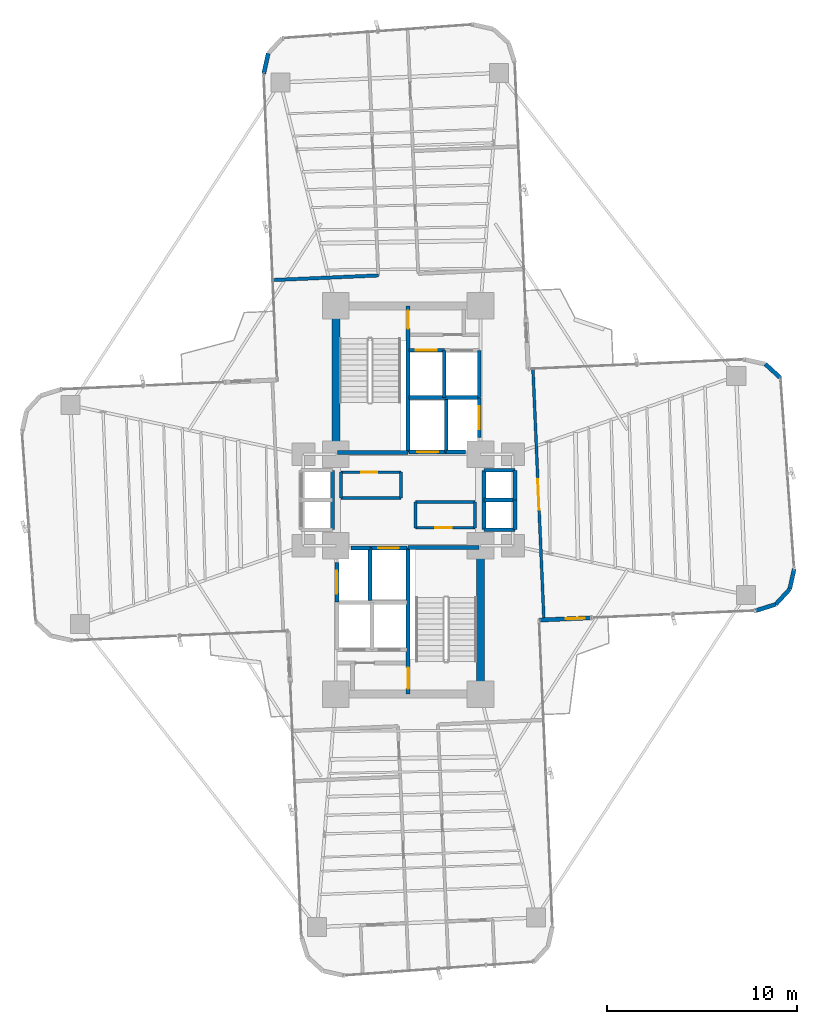
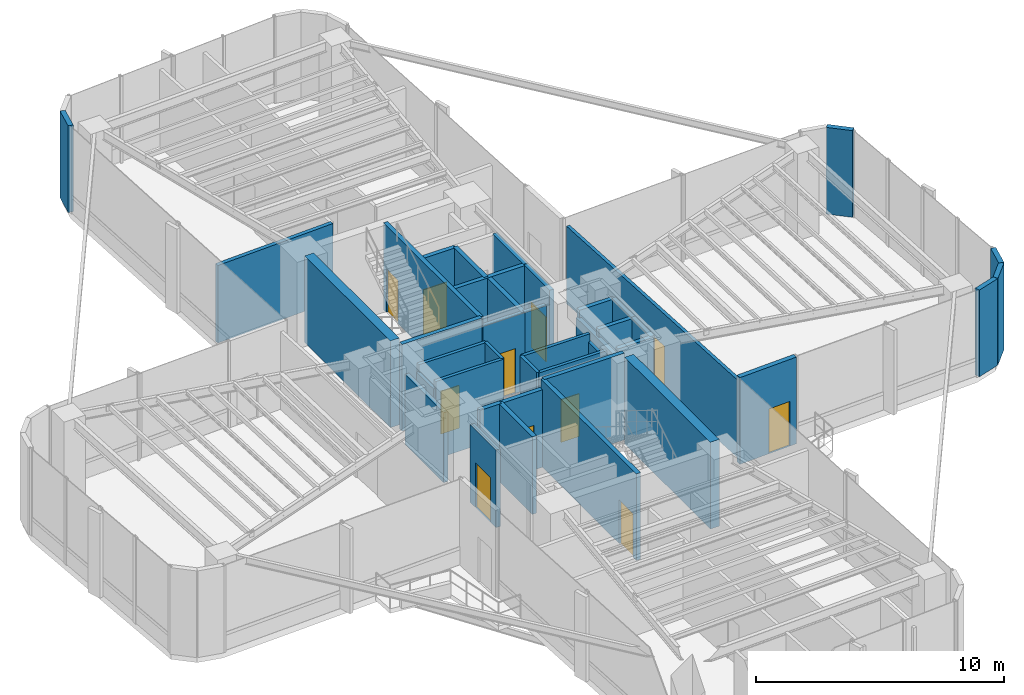
# One storey, part 19 of 21: 41 walls, 11 doors, 11 openings.
"""IFC4 building model written with IfcOpenShell, lengths in metres."""

from ifc_helpers import new_model, si_unit, direction, frame, frame_2d, origin, origin_2d, place, context, subcontext, project, spatial, rectangle, extrude, source, transform, mapped, material, layer, layer_set, type_object, element, fill, save


model = new_model("IFC4")

# Units and contexts
model_context = context("Model", 3, precision=1e-05, world=origin(), true_north=direction((0.0, 1.0)))
body_context = subcontext(model_context, "Body", "Model", "MODEL_VIEW")
ifc_project = project(units=[si_unit("LENGTHUNIT", "METRE"), si_unit("AREAUNIT", "SQUARE_METRE"), si_unit("VOLUMEUNIT", "CUBIC_METRE"), si_unit("PLANEANGLEUNIT", "RADIAN"), si_unit("MASSUNIT", "GRAM", prefix="KILO")], contexts=[model_context])

# Site, building, storey
site_placement = place(None, origin())
site = spatial("IfcSite", under=ifc_project, at=site_placement, CompositionType="ELEMENT")
building_placement = place(site_placement, origin())
building = spatial("IfcBuilding", under=site, at=building_placement, Name="Sahyath Konkavel Grand Hotel", CompositionType="ELEMENT")
storey_placement = place(building_placement, frame((0.0, 0.0, 79.0)))
storey = spatial("IfcBuildingStorey", under=building, at=storey_placement, Name="L21", CompositionType="ELEMENT", Elevation=79.0)

# Walls
ifc_material_1 = material(Name="Concrete C50/60", Category="concrete")
ifc_layer_1 = layer(ifc_material_1, 0.419921875)
ifc_layer_set_1 = layer_set([ifc_layer_1], Name="Concrete C50/60")
wall_type_1 = type_object("IfcWallType", Name="CWALL-420", PredefinedType="SHEAR", material=ifc_layer_set_1)
for number, where, z_axis, x_axis, name in (
    (1, (-3.800048828125, 2.85009765625, 0.0), (0.0, 0.0, 1.0), (0.0, 1.0, 0.0), "L21 North Core Shear Wall W"),
    (2, (3.800048828125, -9.75, 0.0), (0.0, 0.0, 1.0), (0.0, 1.0, 0.0), "L21 South Core Shear Wall E"),
):
    element("IfcWall", number, at=place(storey_placement, frame(where, z_axis=z_axis, x_axis=x_axis)), inside=storey, type_object=wall_type_1, Name=name, PredefinedType="SHEAR", context=body_context, shape_type="SweptSolid", body=[
        extrude(rectangle(XDim=6.89990234375, YDim=0.419921875, at=frame_2d((3.449951171875, 0.0))), origin(), (0.0, 0.0, 1.0), 4.260009765625),
    ])

# Wall, opening, door
ifc_material_2 = material(Name="Warm Buff Sandstone Insulated Concrete C40/50", Category="masonry")
ifc_layer_2 = layer(ifc_material_2, 0.219970703125)
ifc_layer_set_2 = layer_set([ifc_layer_2], Name="Warm Buff Sandstone Insulated Concrete C40/50")
wall_type_2 = type_object("IfcWallType", Name="WLL-BALC-THRESH", PredefinedType="STANDARD", material=ifc_layer_set_2)
wall_1_placement = place(storey_placement, frame((6.881591796875, -6.305908203125, 0.0), z_axis=(0.0, 0.0, 1.0), x_axis=(0.999045894436, 0.043672655174, 0.0)))
wall_1 = element("IfcWall", 3, at=wall_1_placement, inside=storey, type_object=wall_type_2, Name="L21 Winter-Garden Threshold Wall 0", PredefinedType="STANDARD", context=body_context, shape_type="SweptSolid", body=[
    extrude(rectangle(XDim=2.7001953125, YDim=0.219970703125, at=frame_2d((1.35009765625, 0.0))), origin(), (0.0, 0.0, 1.0), 4.260009765625),
])
opening_1_placement = place(wall_1_placement, frame((1.39990234375, 0.0, 0.0)))
opening_1 = element("IfcOpeningElement", 4, at=opening_1_placement, cuts=wall_1, Name="Opening D-TR1", PredefinedType="OPENING", context=body_context, shape_type="SweptSolid", body=[
    extrude(rectangle(XDim=1.0, YDim=2.199951171875, at=frame_2d((0.5, 1.10009765625))), frame((0.0, 0.1201171875, 0.0), z_axis=(0.0, -1.0, 0.0), x_axis=(1.0, 0.0, 0.0)), (0.0, 0.0, 1.0), 0.239990234375),
])
ifc_material_3 = material(Name="Anodised Bronze Aluminium & Low-E Glazing", Category="aluminium")
door_type_1 = type_object("IfcDoorType", Name="DR-TERRACE-1000", OperationType="NOTDEFINED", PredefinedType="DOOR", material=ifc_material_3)
shared_shape_1 = source(origin(), body_context, "Body", "SweptSolid", [
    extrude(rectangle(XDim=1.0, YDim=0.050048828125, at=origin_2d()), origin(), (0.0, 0.0, 1.0), 2.199951171875),
])
door_1_placement = place(opening_1_placement, frame((0.5, 0.0, 0.0)))
door_1 = element("IfcDoor", 5, at=door_1_placement, inside=storey, type_object=door_type_1, Name="L21 Winter-Garden Terrace Door 0", OperationType="SINGLE_SWING_LEFT", OverallHeight=2.199951171875, OverallWidth=1.0, PredefinedType="DOOR", context=body_context, shape_type="MappedRepresentation", body=[
    mapped(shared_shape_1, transform((0.0, 0.0, 0.0), scale=1.0)),
])
fill(opening_1, door_1)

# Walls
for number, where, z_axis, x_axis, name in (
    (6, (18.270751953125, -5.80859375, 0.0), (0.0, 0.0, 1.0), (0.953721713582, 0.30069069331, 0.0), "L21 Rounded Corner Sandstone Pier 1"),
    (7, (19.3076171875, -5.481689453125, 0.0), (0.0, 0.0, 1.0), (0.675551721847, 0.737312600672, 0.0), "L21 Rounded Corner Sandstone Pier 2"),
):
    element("IfcWall", number, at=place(storey_placement, frame(where, z_axis=z_axis, x_axis=x_axis)), inside=storey, type_object=wall_type_2, Name=name, PredefinedType="STANDARD", context=body_context, shape_type="SweptSolid", body=[
        extrude(rectangle(XDim=1.087158203125, YDim=0.219970703125, at=frame_2d((0.54345703125, 0.0))), origin(), (0.0, 0.0, 1.0), 4.260009765625),
    ])
for number, where, z_axis, x_axis, name in (
    (8, (20.0419921875, -4.68017578125, 0.0), (0.0, 0.0, 1.0), (0.216288323511, 0.976329535102, 0.0), "L21 Rounded Corner Sandstone Pier 3"),
    (9, (19.5576171875, 6.4091796875, 0.0), (0.0, 0.0, 1.0), (-0.737210081318, 0.675663596772, 0.0), "L21 Rounded Corner Sandstone Pier 5"),
):
    element("IfcWall", number, at=place(storey_placement, frame(where, z_axis=z_axis, x_axis=x_axis)), inside=storey, type_object=wall_type_2, Name=name, PredefinedType="STANDARD", context=body_context, shape_type="SweptSolid", body=[
        extrude(rectangle(XDim=1.0869140625, YDim=0.219970703125, at=frame_2d((0.54345703125, 0.0))), origin(), (0.0, 0.0, 1.0), 4.260009765625),
    ])
wall_2_placement = place(storey_placement, frame((-7.3486328125, 23.451904296875, 0.0), z_axis=(0.0, 0.0, 1.0), x_axis=(-0.216454939174, -0.976292609471, 0.0)))
element("IfcWall", 10, at=wall_2_placement, inside=storey, type_object=wall_type_2, Name="L21 Rounded Corner Sandstone Pier 14", PredefinedType="STANDARD", context=body_context, shape_type="SweptSolid", body=[
    extrude(rectangle(XDim=1.08740234375, YDim=0.219970703125, at=frame_2d((0.543701171875, 0.0))), origin(), (0.0, 0.0, 1.0), 4.260009765625),
])

# Wall, opening, door
ifc_material_4 = material(Name="Concrete C40/50", Category="concrete")
ifc_layer_3 = layer(ifc_material_4, 0.199951171875)
ifc_layer_set_3 = layer_set([ifc_layer_3], Name="Concrete C40/50")
wall_type_3 = type_object("IfcWallType", Name="WLL-CORE-200", PredefinedType="SOLIDWALL", material=ifc_layer_set_3)
wall_3_placement = place(storey_placement, frame((0.0, 2.5, 0.0), z_axis=(0.0, 0.0, 1.0), x_axis=(0.0, 1.0, 0.0)))
wall_3 = element("IfcWall", 11, at=wall_3_placement, inside=storey, type_object=wall_type_3, Name="L21 Stair ST-1 Shaft Wall E", PredefinedType="SOLIDWALL", context=body_context, shape_type="SweptSolid", body=[
    extrude(rectangle(XDim=7.679931640625, YDim=0.199951171875, at=frame_2d((3.83984375, 0.0))), origin(), (0.0, 0.0, 1.0), 4.260009765625),
])
opening_2_placement = place(wall_3_placement, frame((6.5, 0.0, 0.0)))
opening_2 = element("IfcOpeningElement", 12, at=opening_2_placement, cuts=wall_3, Name="Opening D-F12C", PredefinedType="OPENING", context=body_context, shape_type="SweptSolid", body=[
    extrude(rectangle(XDim=0.949951171875, YDim=2.14990234375, at=frame_2d((0.47509765625, 1.074951171875))), frame((0.0, 0.10986328125, 0.0), z_axis=(0.0, -1.0, 0.0), x_axis=(1.0, 0.0, 0.0)), (0.0, 0.0, 1.0), 0.219970703125),
])
ifc_material_5 = material(Name="Steel E350 Plant Fire Door", Category="steel")
door_type_2 = type_object("IfcDoorType", Name="DR-FD120-950", OperationType="NOTDEFINED", PredefinedType="DOOR", material=ifc_material_5)
shared_shape_2 = source(origin(), body_context, "Body", "SweptSolid", [
    extrude(rectangle(XDim=0.949951171875, YDim=0.050048828125, at=origin_2d()), origin(), (0.0, 0.0, 1.0), 2.14990234375),
])
door_2_placement = place(opening_2_placement, frame((0.47509765625, 0.0, 0.0)))
door_2 = element("IfcDoor", 13, at=door_2_placement, inside=storey, type_object=door_type_2, Name="L21 Stair ST-1 Fire Door", OperationType="SINGLE_SWING_LEFT", OverallHeight=2.14990234375, OverallWidth=0.949951171875, PredefinedType="DOOR", context=body_context, shape_type="MappedRepresentation", body=[
    mapped(shared_shape_2, transform((0.0, 0.0, 0.0), scale=1.0)),
])
fill(opening_2, door_2)

# Wall
wall_4_placement = place(storey_placement, frame((-3.719970703125, 2.5, 0.0), z_axis=(0.0, 0.0, 1.0), x_axis=(1.0, 0.0, 0.0)))
element("IfcWall", 14, at=wall_4_placement, inside=storey, type_object=wall_type_3, Name="L21 Stair ST-1 Shaft Wall S", PredefinedType="SOLIDWALL", context=body_context, shape_type="SweptSolid", body=[
    extrude(rectangle(XDim=3.719970703125, YDim=0.199951171875, at=frame_2d((1.85986328125, 0.0))), origin(), (0.0, 0.0, 1.0), 4.260009765625),
])

# Wall, opening, door
wall_5_placement = place(storey_placement, frame((0.0, -10.179931640625, 0.0), z_axis=(0.0, 0.0, 1.0), x_axis=(0.0, 1.0, 0.0)))
wall_5 = element("IfcWall", 15, at=wall_5_placement, inside=storey, type_object=wall_type_3, Name="L21 Stair ST-2 Shaft Wall W", PredefinedType="SOLIDWALL", context=body_context, shape_type="SweptSolid", body=[
    extrude(rectangle(XDim=7.679931640625, YDim=0.199951171875, at=frame_2d((3.83984375, 0.0))), origin(), (0.0, 0.0, 1.0), 4.260009765625),
])
opening_3_placement = place(wall_5_placement, frame((0.280029296875, 0.0, 0.0)))
opening_3 = element("IfcOpeningElement", 16, at=opening_3_placement, cuts=wall_5, Name="Opening D-F12B", PredefinedType="OPENING", context=body_context, shape_type="SweptSolid", body=[
    extrude(rectangle(XDim=1.10009765625, YDim=2.14990234375, at=frame_2d((0.550048828125, 1.074951171875))), frame((0.0, 0.10986328125, 0.0), z_axis=(0.0, -1.0, 0.0), x_axis=(1.0, 0.0, 0.0)), (0.0, 0.0, 1.0), 0.219970703125),
])
ifc_material_6 = material(Name="Steel E350 Smokeproof Fire Door", Category="steel")
door_type_3 = type_object("IfcDoorType", Name="DR-FD120-1100", OperationType="NOTDEFINED", PredefinedType="DOOR", material=ifc_material_6)
shared_shape_3 = source(origin(), body_context, "Body", "SweptSolid", [
    extrude(rectangle(XDim=1.10009765625, YDim=0.050048828125, at=origin_2d()), origin(), (0.0, 0.0, 1.0), 2.14990234375),
])
door_3_placement = place(opening_3_placement, frame((0.550048828125, 0.0, 0.0)))
door_3 = element("IfcDoor", 17, at=door_3_placement, inside=storey, type_object=door_type_3, Name="L21 Stair ST-2 Fire Door", OperationType="SINGLE_SWING_LEFT", OverallHeight=2.14990234375, OverallWidth=1.10009765625, PredefinedType="DOOR", context=body_context, shape_type="MappedRepresentation", body=[
    mapped(shared_shape_3, transform((0.0, 0.0, 0.0), scale=1.0)),
])
fill(opening_3, door_3)

# Walls
wall_6_placement = place(storey_placement, frame((0.0, -2.5, 0.0), z_axis=(0.0, 0.0, 1.0), x_axis=(1.0, 0.0, 0.0)))
element("IfcWall", 18, at=wall_6_placement, inside=storey, type_object=wall_type_3, Name="L21 Stair ST-2 Shaft Wall N", PredefinedType="SOLIDWALL", context=body_context, shape_type="SweptSolid", body=[
    extrude(rectangle(XDim=3.719970703125, YDim=0.199951171875, at=frame_2d((1.85986328125, 0.0))), origin(), (0.0, 0.0, 1.0), 4.260009765625),
])
wall_7_placement = place(storey_placement, frame((2.0, 2.5, 0.0), z_axis=(0.0, 0.0, 1.0), x_axis=(0.0, 1.0, 0.0)))
element("IfcWall", 19, at=wall_7_placement, inside=storey, type_object=wall_type_3, Name="L21 Partition SH-FFL1-E", PredefinedType="SOLIDWALL", context=body_context, shape_type="SweptSolid", body=[
    extrude(rectangle(XDim=2.780029296875, YDim=0.199951171875, at=frame_2d((1.39013671875, 0.0))), origin(), (0.0, 0.0, 1.0), 3.81005859375),
])

# Wall, opening, door
wall_8_placement = place(storey_placement, frame((0.050048828125, 2.52001953125, 0.0), z_axis=(0.0, 0.0, 1.0), x_axis=(1.0, 0.0, 0.0)))
wall_8 = element("IfcWall", 20, at=wall_8_placement, inside=storey, type_object=wall_type_3, Name="L21 Partition SH-FFL1-S", PredefinedType="SOLIDWALL", context=body_context, shape_type="SweptSolid", body=[
    extrude(rectangle(XDim=1.949951171875, YDim=0.199951171875, at=frame_2d((0.97509765625, 0.0))), origin(), (0.0, 0.0, 1.0), 3.81005859375),
])
opening_4_placement = place(wall_8_placement, frame((0.419921875, 0.0, 0.0)))
opening_4 = element("IfcOpeningElement", 21, at=opening_4_placement, cuts=wall_8, Name="Opening LD-11", PredefinedType="OPENING", context=body_context, shape_type="SweptSolid", body=[
    extrude(rectangle(XDim=1.10009765625, YDim=2.199951171875, at=frame_2d((0.550048828125, 1.10009765625))), frame((0.0, 0.10986328125, 0.0), z_axis=(0.0, -1.0, 0.0), x_axis=(1.0, 0.0, 0.0)), (0.0, 0.0, 1.0), 0.219970703125),
])
ifc_material_7 = material(Name="Bronze Lift Landing Door 1100")
door_type_4 = type_object("IfcDoorType", Name="DR-LIFT-1100", OperationType="DOUBLE_DOOR_SLIDING", PredefinedType="DOOR", material=ifc_material_7)
shared_shape_4 = source(origin(), body_context, "Body", "SweptSolid", [
    extrude(rectangle(XDim=1.10009765625, YDim=0.050048828125, at=origin_2d()), origin(), (0.0, 0.0, 1.0), 2.199951171875),
])
door_4_placement = place(opening_4_placement, frame((0.550048828125, 0.0, 0.0)))
door_4 = element("IfcDoor", 22, at=door_4_placement, inside=storey, type_object=door_type_4, Name="L21 Lift FFL-1 Landing Door", OperationType="DOUBLE_DOOR_SLIDING", OverallHeight=2.199951171875, OverallWidth=1.10009765625, PredefinedType="DOOR", context=body_context, shape_type="MappedRepresentation", body=[
    mapped(shared_shape_4, transform((0.0, 0.0, 0.0), scale=1.0)),
])
fill(opening_4, door_4)

# Wall
wall_9_placement = place(storey_placement, frame((-2.0, -5.280029296875, 0.0), z_axis=(0.0, 0.0, 1.0), x_axis=(0.0, 1.0, 0.0)))
element("IfcWall", 23, at=wall_9_placement, inside=storey, type_object=wall_type_3, Name="L21 Partition SH-FFL2-W", PredefinedType="SOLIDWALL", context=body_context, shape_type="SweptSolid", body=[
    extrude(rectangle(XDim=2.780029296875, YDim=0.199951171875, at=frame_2d((1.39013671875, 0.0))), origin(), (0.0, 0.0, 1.0), 3.81005859375),
])

# Wall, opening, door
wall_10_placement = place(storey_placement, frame((-2.0, -2.52001953125, 0.0), z_axis=(0.0, 0.0, 1.0), x_axis=(1.0, 0.0, 0.0)))
wall_10 = element("IfcWall", 24, at=wall_10_placement, inside=storey, type_object=wall_type_3, Name="L21 Partition SH-FFL2-N", PredefinedType="SOLIDWALL", context=body_context, shape_type="SweptSolid", body=[
    extrude(rectangle(XDim=1.949951171875, YDim=0.199951171875, at=frame_2d((0.97509765625, 0.0))), origin(), (0.0, 0.0, 1.0), 3.81005859375),
])
opening_5_placement = place(wall_10_placement, frame((0.419921875, 0.0, 0.0)))
opening_5 = element("IfcOpeningElement", 25, at=opening_5_placement, cuts=wall_10, Name="Opening LD-11", PredefinedType="OPENING", context=body_context, shape_type="SweptSolid", body=[
    extrude(rectangle(XDim=1.10009765625, YDim=2.199951171875, at=frame_2d((0.550048828125, 1.10009765625))), frame((0.0, 0.10986328125, 0.0), z_axis=(0.0, -1.0, 0.0), x_axis=(1.0, 0.0, 0.0)), (0.0, 0.0, 1.0), 0.219970703125),
])
door_5_placement = place(opening_5_placement, frame((0.550048828125, 0.0, 0.0)))
door_5 = element("IfcDoor", 26, at=door_5_placement, inside=storey, type_object=door_type_4, Name="L21 Lift FFL-2 Landing Door", OperationType="DOUBLE_DOOR_SLIDING", OverallHeight=2.199951171875, OverallWidth=1.10009765625, PredefinedType="DOOR", context=body_context, shape_type="MappedRepresentation", body=[
    mapped(shared_shape_4, transform((0.0, 0.0, 0.0), scale=1.0)),
])
fill(opening_5, door_5)

# Wall
wall_11_placement = place(storey_placement, frame((2.0, 2.52001953125, 0.0), z_axis=(0.0, 0.0, 1.0), x_axis=(1.0, 0.0, 0.0)))
element("IfcWall", 27, at=wall_11_placement, inside=storey, type_object=wall_type_3, Name="L21 Partition SH-SVL1-S", PredefinedType="SOLIDWALL", context=body_context, shape_type="SweptSolid", body=[
    extrude(rectangle(XDim=1.0, YDim=0.199951171875, at=frame_2d((0.5, 0.0))), origin(), (0.0, 0.0, 1.0), 3.81005859375),
])

# Wall, opening, door
wall_12_placement = place(storey_placement, frame((3.739990234375, 3.280029296875, 0.0), z_axis=(0.0, 0.0, 1.0), x_axis=(0.0, 1.0, 0.0)))
wall_12 = element("IfcWall", 28, at=wall_12_placement, inside=storey, type_object=wall_type_3, Name="L21 Partition SH-SVL1-E", PredefinedType="SOLIDWALL", context=body_context, shape_type="SweptSolid", body=[
    extrude(rectangle(XDim=2.080078125, YDim=0.199951171875, at=frame_2d((1.0400390625, 0.0))), origin(), (0.0, 0.0, 1.0), 3.81005859375),
])
opening_6_placement = place(wall_12_placement, frame((0.43994140625, 0.0, 0.0)))
opening_6 = element("IfcOpeningElement", 29, at=opening_6_placement, cuts=wall_12, Name="Opening LD-12", PredefinedType="OPENING", context=body_context, shape_type="SweptSolid", body=[
    extrude(rectangle(XDim=1.199951171875, YDim=2.199951171875, at=frame_2d((0.60009765625, 1.10009765625))), frame((0.0, 0.10986328125, 0.0), z_axis=(0.0, -1.0, 0.0), x_axis=(1.0, 0.0, 0.0)), (0.0, 0.0, 1.0), 0.219970703125),
])
ifc_material_8 = material(Name="Stainless Steel Lift Landing Door 1200", Category="steel")
door_type_5 = type_object("IfcDoorType", Name="DR-LIFT-1200", OperationType="DOUBLE_DOOR_SLIDING", PredefinedType="DOOR", material=ifc_material_8)
shared_shape_5 = source(origin(), body_context, "Body", "SweptSolid", [
    extrude(rectangle(XDim=1.199951171875, YDim=0.050048828125, at=origin_2d()), origin(), (0.0, 0.0, 1.0), 2.199951171875),
])
door_6_placement = place(opening_6_placement, frame((0.60009765625, 0.0, 0.0)))
door_6 = element("IfcDoor", 30, at=door_6_placement, inside=storey, type_object=door_type_5, Name="L21 Service Lift SVL-1 Landing Door", OperationType="DOUBLE_DOOR_SLIDING", OverallHeight=2.199951171875, OverallWidth=1.199951171875, PredefinedType="DOOR", context=body_context, shape_type="MappedRepresentation", body=[
    mapped(shared_shape_5, transform((0.0, 0.0, 0.0), scale=1.0)),
])
fill(opening_6, door_6)

# Wall
wall_13_placement = place(storey_placement, frame((-3.0, -2.52001953125, 0.0), z_axis=(0.0, 0.0, 1.0), x_axis=(1.0, 0.0, 0.0)))
element("IfcWall", 31, at=wall_13_placement, inside=storey, type_object=wall_type_3, Name="L21 Partition SH-SVL2-N", PredefinedType="SOLIDWALL", context=body_context, shape_type="SweptSolid", body=[
    extrude(rectangle(XDim=1.0, YDim=0.199951171875, at=frame_2d((0.5, 0.0))), origin(), (0.0, 0.0, 1.0), 3.81005859375),
])

# Wall, opening, door
wall_14_placement = place(storey_placement, frame((-3.739990234375, -5.360107421875, 0.0), z_axis=(0.0, 0.0, 1.0), x_axis=(0.0, 1.0, 0.0)))
wall_14 = element("IfcWall", 32, at=wall_14_placement, inside=storey, type_object=wall_type_3, Name="L21 Partition SH-SVL2-W", PredefinedType="SOLIDWALL", context=body_context, shape_type="SweptSolid", body=[
    extrude(rectangle(XDim=2.080078125, YDim=0.199951171875, at=frame_2d((1.0400390625, 0.0))), origin(), (0.0, 0.0, 1.0), 3.81005859375),
])
opening_7_placement = place(wall_14_placement, frame((0.43994140625, 0.0, 0.0)))
opening_7 = element("IfcOpeningElement", 33, at=opening_7_placement, cuts=wall_14, Name="Opening LD-12", PredefinedType="OPENING", context=body_context, shape_type="SweptSolid", body=[
    extrude(rectangle(XDim=1.199951171875, YDim=2.199951171875, at=frame_2d((0.60009765625, 1.10009765625))), frame((0.0, 0.10986328125, 0.0), z_axis=(0.0, -1.0, 0.0), x_axis=(1.0, 0.0, 0.0)), (0.0, 0.0, 1.0), 0.219970703125),
])
door_7_placement = place(opening_7_placement, frame((0.60009765625, 0.0, 0.0)))
door_7 = element("IfcDoor", 34, at=door_7_placement, inside=storey, type_object=door_type_5, Name="L21 Service Lift SVL-2 Landing Door", OperationType="DOUBLE_DOOR_SLIDING", OverallHeight=2.199951171875, OverallWidth=1.199951171875, PredefinedType="DOOR", context=body_context, shape_type="MappedRepresentation", body=[
    mapped(shared_shape_5, transform((0.0, 0.0, 0.0), scale=1.0)),
])
fill(opening_7, door_7)

# Walls
wall_15_placement = place(storey_placement, frame((0.050048828125, 5.3798828125, 0.0), z_axis=(0.0, 0.0, 1.0), x_axis=(1.0, 0.0, 0.0)))
element("IfcWall", 35, at=wall_15_placement, inside=storey, type_object=wall_type_3, Name="L21 Partition SH-PL12-S", PredefinedType="SOLIDWALL", context=body_context, shape_type="SweptSolid", body=[
    extrude(rectangle(XDim=3.68994140625, YDim=0.199951171875, at=frame_2d((1.844970703125, 0.0))), origin(), (0.0, 0.0, 1.0), 3.81005859375),
])
wall_16_placement = place(storey_placement, frame((1.89990234375, 5.3798828125, 0.0), z_axis=(0.0, 0.0, 1.0), x_axis=(0.0, 1.0, 0.0)))
element("IfcWall", 36, at=wall_16_placement, inside=storey, type_object=wall_type_3, Name="L21 Partition SH-PL12-M", PredefinedType="SOLIDWALL", context=body_context, shape_type="SweptSolid", body=[
    extrude(rectangle(XDim=2.480224609375, YDim=0.199951171875, at=frame_2d((1.240234375, 0.0))), origin(), (0.0, 0.0, 1.0), 3.81005859375),
])

# Wall, opening, door
wall_17_placement = place(storey_placement, frame((0.050048828125, 7.860107421875, 0.0), z_axis=(0.0, 0.0, 1.0), x_axis=(1.0, 0.0, 0.0)))
wall_17 = element("IfcWall", 37, at=wall_17_placement, inside=storey, type_object=wall_type_3, Name="L21 Partition SH-PL1-N", PredefinedType="SOLIDWALL", context=body_context, shape_type="SweptSolid", body=[
    extrude(rectangle(XDim=1.849853515625, YDim=0.199951171875, at=frame_2d((0.9248046875, 0.0))), origin(), (0.0, 0.0, 1.0), 3.81005859375),
])
opening_8_placement = place(wall_17_placement, frame((0.360107421875, 0.0, 0.0)))
opening_8 = element("IfcOpeningElement", 38, at=opening_8_placement, cuts=wall_17, Name="Opening LD-11", PredefinedType="OPENING", context=body_context, shape_type="SweptSolid", body=[
    extrude(rectangle(XDim=1.10009765625, YDim=2.199951171875, at=frame_2d((0.550048828125, 1.10009765625))), frame((0.0, 0.10986328125, 0.0), z_axis=(0.0, -1.0, 0.0), x_axis=(1.0, 0.0, 0.0)), (0.0, 0.0, 1.0), 0.219970703125),
])
door_8_placement = place(opening_8_placement, frame((0.550048828125, 0.0, 0.0)))
door_8 = element("IfcDoor", 39, at=door_8_placement, inside=storey, type_object=door_type_4, Name="L21 Passenger Lift PL-1 Landing Door", OperationType="DOUBLE_DOOR_SLIDING", OverallHeight=2.199951171875, OverallWidth=1.10009765625, PredefinedType="DOOR", context=body_context, shape_type="MappedRepresentation", body=[
    mapped(shared_shape_4, transform((0.0, 0.0, 0.0), scale=1.0)),
])
fill(opening_8, door_8)

# Walls
wall_18_placement = place(storey_placement, frame((3.739990234375, 5.3798828125, 0.0), z_axis=(0.0, 0.0, 1.0), x_axis=(0.0, 1.0, 0.0)))
element("IfcWall", 40, at=wall_18_placement, inside=storey, type_object=wall_type_3, Name="L21 Partition SH-PL2-E", PredefinedType="SOLIDWALL", context=body_context, shape_type="SweptSolid", body=[
    extrude(rectangle(XDim=2.480224609375, YDim=0.199951171875, at=frame_2d((1.240234375, 0.0))), origin(), (0.0, 0.0, 1.0), 3.81005859375),
])
wall_19_placement = place(storey_placement, frame((3.97998046875, -1.56005859375, 0.0), z_axis=(0.0, 0.0, 1.0), x_axis=(0.0, 1.0, 0.0)))
element("IfcWall", 41, at=wall_19_placement, inside=storey, type_object=wall_type_3, Name="L21 Partition SH-PL56-W", PredefinedType="SOLIDWALL", context=body_context, shape_type="SweptSolid", body=[
    extrude(rectangle(XDim=3.1201171875, YDim=0.199951171875, at=frame_2d((1.56005859375, 0.0))), origin(), (0.0, 0.0, 1.0), 3.429931640625),
])
for number, where, z_axis, x_axis, name in (
    (42, (3.97998046875, 1.56005859375, 0.0), (0.0, 0.0, 1.0), (1.0, 0.0, 0.0), "L21 Partition SH-PL56-N"),
    (43, (3.97998046875, -1.56005859375, 0.0), (0.0, 0.0, 1.0), (1.0, 0.0, 0.0), "L21 Partition SH-PL56-S"),
    (44, (3.97998046875, 0.0, 0.0), (0.0, 0.0, 1.0), (1.0, 0.0, 0.0), "L21 Partition SH-PL56-M"),
):
    element("IfcWall", number, at=place(storey_placement, frame(where, z_axis=z_axis, x_axis=x_axis)), inside=storey, type_object=wall_type_3, Name=name, PredefinedType="SOLIDWALL", context=body_context, shape_type="SweptSolid", body=[
        extrude(rectangle(XDim=1.64013671875, YDim=0.199951171875, at=frame_2d((0.820068359375, 0.0))), origin(), (0.0, 0.0, 1.0), 3.81005859375),
    ])
for number, where, z_axis, x_axis, name in (
    (45, (5.6201171875, 0.0, 0.0), (0.0, 0.0, 1.0), (0.0, 1.0, 0.0), "L21 Partition SH-PL5-E"),
    (46, (5.6201171875, -1.56005859375, 0.0), (0.0, 0.0, 1.0), (0.0, 1.0, 0.0), "L21 Partition SH-PL6-E"),
):
    element("IfcWall", number, at=place(storey_placement, frame(where, z_axis=z_axis, x_axis=x_axis)), inside=storey, type_object=wall_type_3, Name=name, PredefinedType="SOLIDWALL", context=body_context, shape_type="SweptSolid", body=[
        extrude(rectangle(XDim=1.56005859375, YDim=0.199951171875, at=frame_2d((0.780029296875, 0.0))), origin(), (0.0, 0.0, 1.0), 3.81005859375),
    ])
wall_20_placement = place(storey_placement, frame((-3.97998046875, -1.56005859375, 0.0), z_axis=(0.0, 0.0, 1.0), x_axis=(0.0, 1.0, 0.0)))
element("IfcWall", 47, at=wall_20_placement, inside=storey, type_object=wall_type_3, Name="L21 Partition SH-SL12-E", PredefinedType="SOLIDWALL", context=body_context, shape_type="SweptSolid", body=[
    extrude(rectangle(XDim=3.1201171875, YDim=0.199951171875, at=frame_2d((1.56005859375, 0.0))), origin(), (0.0, 0.0, 1.0), 3.429931640625),
])
ifc_material_9 = material(Name="Twin-Stud Acoustic Gypsum Plasterboard Partition")
ifc_layer_4 = layer(ifc_material_9, 0.179931640625)
ifc_layer_set_4 = layer_set([ifc_layer_4], Name="Twin-Stud Acoustic Gypsum Plasterboard Partition")
wall_type_4 = type_object("IfcWallType", Name="WLL-DEMISE-180", PredefinedType="PARTITIONING", material=ifc_layer_set_4)
wall_21_placement = place(storey_placement, frame((-1.56591796875, 11.79296875, 0.0), z_axis=(0.0, 0.0, 1.0), x_axis=(-0.999047596379, -0.043633704503, 0.0)))
element("IfcWall", 48, at=wall_21_placement, inside=storey, type_object=wall_type_4, Name="L21 Partition L21-N-INL", PredefinedType="PARTITIONING", context=body_context, shape_type="SweptSolid", body=[
    extrude(rectangle(XDim=5.5, YDim=0.179931640625, at=frame_2d((2.75, 0.0))), origin(), (0.0, 0.0, 1.0), 3.81005859375),
])
ifc_material_10 = material(Name="Fire-Rated Gypsum Plasterboard Partition")
ifc_layer_5 = layer(ifc_material_10, 0.14990234375)
ifc_layer_set_5 = layer_set([ifc_layer_5], Name="Fire-Rated Gypsum Plasterboard Partition")
wall_type_5 = type_object("IfcWallType", Name="WLL-PART-150", PredefinedType="PARTITIONING", material=ifc_layer_set_5)
wall_22_placement = place(storey_placement, frame((-3.52001953125, 0.10009765625, 0.0), z_axis=(0.0, 0.0, 1.0), x_axis=(1.0, 0.0, 0.0)))
element("IfcWall", 49, at=wall_22_placement, inside=storey, type_object=wall_type_5, Name="L21 Partition CC-3NWS", PredefinedType="PARTITIONING", context=body_context, shape_type="SweptSolid", body=[
    extrude(rectangle(XDim=3.14013671875, YDim=0.14990234375, at=frame_2d((1.570068359375, 0.0))), origin(), (0.0, 0.0, 1.0), 3.81005859375),
])

# Wall, opening, door
wall_23_placement = place(storey_placement, frame((-3.52001953125, 1.4599609375, 0.0), z_axis=(0.0, 0.0, 1.0), x_axis=(1.0, 0.0, 0.0)))
wall_23 = element("IfcWall", 50, at=wall_23_placement, inside=storey, type_object=wall_type_5, Name="L21 Partition CC-3NWN", PredefinedType="PARTITIONING", context=body_context, shape_type="SweptSolid", body=[
    extrude(rectangle(XDim=3.14013671875, YDim=0.14990234375, at=frame_2d((1.570068359375, 0.0))), origin(), (0.0, 0.0, 1.0), 3.81005859375),
])
opening_9_placement = place(wall_23_placement, frame((1.050048828125, 0.0, 0.0)))
opening_9 = element("IfcOpeningElement", 51, at=opening_9_placement, cuts=wall_23, Name="Opening D-F06D", PredefinedType="OPENING", context=body_context, shape_type="SweptSolid", body=[
    extrude(rectangle(XDim=0.85009765625, YDim=2.10009765625, at=frame_2d((0.425048828125, 1.050048828125))), frame((0.0, 0.0849609375, 0.0), z_axis=(0.0, -1.0, 0.0), x_axis=(1.0, 0.0, 0.0)), (0.0, 0.0, 1.0), 0.169921875),
])
ifc_material_11 = material(Name="Fire-Rated Shaft Access Door")
door_type_6 = type_object("IfcDoorType", Name="DR-FD60-850", OperationType="NOTDEFINED", PredefinedType="DOOR", material=ifc_material_11)
shared_shape_6 = source(origin(), body_context, "Body", "SweptSolid", [
    extrude(rectangle(XDim=0.85009765625, YDim=0.050048828125, at=origin_2d()), origin(), (0.0, 0.0, 1.0), 2.10009765625),
])
door_9_placement = place(opening_9_placement, frame((0.425048828125, 0.0, 0.0)))
door_9 = element("IfcDoor", 52, at=door_9_placement, inside=storey, type_object=door_type_6, Name="L21 Door CC-D3NW", OperationType="SINGLE_SWING_LEFT", OverallHeight=2.10009765625, OverallWidth=0.85009765625, PredefinedType="DOOR", context=body_context, shape_type="MappedRepresentation", body=[
    mapped(shared_shape_6, transform((0.0, 0.0, 0.0), scale=1.0)),
])
fill(opening_9, door_9)

# Walls
wall_24_placement = place(storey_placement, frame((-3.52001953125, 0.10009765625, 0.0), z_axis=(0.0, 0.0, 1.0), x_axis=(0.0, 1.0, 0.0)))
element("IfcWall", 53, at=wall_24_placement, inside=storey, type_object=wall_type_5, Name="L21 Partition CC-3NWW", PredefinedType="PARTITIONING", context=body_context, shape_type="SweptSolid", body=[
    extrude(rectangle(XDim=1.35986328125, YDim=0.14990234375, at=frame_2d((0.679931640625, 0.0))), origin(), (0.0, 0.0, 1.0), 3.429931640625),
])
wall_25_placement = place(storey_placement, frame((-0.3798828125, 0.10009765625, 0.0), z_axis=(0.0, 0.0, 1.0), x_axis=(0.0, 1.0, 0.0)))
element("IfcWall", 54, at=wall_25_placement, inside=storey, type_object=wall_type_5, Name="L21 Partition CC-3NWE", PredefinedType="PARTITIONING", context=body_context, shape_type="SweptSolid", body=[
    extrude(rectangle(XDim=1.35986328125, YDim=0.14990234375, at=frame_2d((0.679931640625, 0.0))), origin(), (0.0, 0.0, 1.0), 3.81005859375),
])
wall_26_placement = place(storey_placement, frame((0.3798828125, -0.10009765625, 0.0), z_axis=(0.0, 0.0, 1.0), x_axis=(1.0, 0.0, 0.0)))
element("IfcWall", 55, at=wall_26_placement, inside=storey, type_object=wall_type_5, Name="L21 Partition CC-3SEN", PredefinedType="PARTITIONING", context=body_context, shape_type="SweptSolid", body=[
    extrude(rectangle(XDim=3.14013671875, YDim=0.14990234375, at=frame_2d((1.570068359375, 0.0))), origin(), (0.0, 0.0, 1.0), 3.81005859375),
])

# Wall, opening, door
wall_27_placement = place(storey_placement, frame((0.3798828125, -1.4599609375, 0.0), z_axis=(0.0, 0.0, 1.0), x_axis=(1.0, 0.0, 0.0)))
wall_27 = element("IfcWall", 56, at=wall_27_placement, inside=storey, type_object=wall_type_5, Name="L21 Partition CC-3SES", PredefinedType="PARTITIONING", context=body_context, shape_type="SweptSolid", body=[
    extrude(rectangle(XDim=3.14013671875, YDim=0.14990234375, at=frame_2d((1.570068359375, 0.0))), origin(), (0.0, 0.0, 1.0), 3.81005859375),
])
opening_10_placement = place(wall_27_placement, frame((1.050048828125, 0.0, 0.0)))
opening_10 = element("IfcOpeningElement", 57, at=opening_10_placement, cuts=wall_27, Name="Opening D-F06D", PredefinedType="OPENING", context=body_context, shape_type="SweptSolid", body=[
    extrude(rectangle(XDim=0.85009765625, YDim=2.10009765625, at=frame_2d((0.425048828125, 1.050048828125))), frame((0.0, 0.0849609375, 0.0), z_axis=(0.0, -1.0, 0.0), x_axis=(1.0, 0.0, 0.0)), (0.0, 0.0, 1.0), 0.169921875),
])
door_10_placement = place(opening_10_placement, frame((0.425048828125, 0.0, 0.0)))
door_10 = element("IfcDoor", 58, at=door_10_placement, inside=storey, type_object=door_type_6, Name="L21 Door CC-D3SE", OperationType="SINGLE_SWING_RIGHT", OverallHeight=2.10009765625, OverallWidth=0.85009765625, PredefinedType="DOOR", context=body_context, shape_type="MappedRepresentation", body=[
    mapped(shared_shape_6, transform((0.0, 0.0, 0.0), scale=1.0)),
])
fill(opening_10, door_10)

# Walls
wall_28_placement = place(storey_placement, frame((0.3798828125, -1.4599609375, 0.0), z_axis=(0.0, 0.0, 1.0), x_axis=(0.0, 1.0, 0.0)))
element("IfcWall", 59, at=wall_28_placement, inside=storey, type_object=wall_type_5, Name="L21 Partition CC-3SEW", PredefinedType="PARTITIONING", context=body_context, shape_type="SweptSolid", body=[
    extrude(rectangle(XDim=1.35986328125, YDim=0.14990234375, at=frame_2d((0.679931640625, 0.0))), origin(), (0.0, 0.0, 1.0), 3.81005859375),
])
wall_29_placement = place(storey_placement, frame((3.52001953125, -1.4599609375, 0.0), z_axis=(0.0, 0.0, 1.0), x_axis=(0.0, 1.0, 0.0)))
element("IfcWall", 60, at=wall_29_placement, inside=storey, type_object=wall_type_5, Name="L21 Partition CC-3SEE", PredefinedType="PARTITIONING", context=body_context, shape_type="SweptSolid", body=[
    extrude(rectangle(XDim=1.35986328125, YDim=0.14990234375, at=frame_2d((0.679931640625, 0.0))), origin(), (0.0, 0.0, 1.0), 3.429931640625),
])

# Wall, opening, door
wall_30_placement = place(storey_placement, frame((7.129150390625, -6.2451171875, 0.0), z_axis=(0.0, 0.0, 1.0), x_axis=(-0.043609488494, 0.999048653727, 0.0)))
wall_30 = element("IfcWall", 61, at=wall_30_placement, inside=storey, type_object=wall_type_5, Name="L21 Partition L21-E-IN", PredefinedType="PARTITIONING", context=body_context, shape_type="SweptSolid", body=[
    extrude(rectangle(XDim=13.10009765625, YDim=0.14990234375, at=frame_2d((6.550048828125, 0.0))), origin(), (0.0, 0.0, 1.0), 3.81005859375),
])
opening_11_placement = place(wall_30_placement, frame((5.75, 0.0, 0.0)))
opening_11 = element("IfcOpeningElement", 62, at=opening_11_placement, cuts=wall_30, Name="Opening D-DB16", PredefinedType="OPENING", context=body_context, shape_type="SweptSolid", body=[
    extrude(rectangle(XDim=1.60009765625, YDim=2.25, at=frame_2d((0.800048828125, 1.125))), frame((0.0, 0.0849609375, 0.0), z_axis=(0.0, -1.0, 0.0), x_axis=(1.0, 0.0, 0.0)), (0.0, 0.0, 1.0), 0.169921875),
])
ifc_material_12 = material(Name="Double Leaf Lounge Glazed Timber Door", Category="wood")
door_type_7 = type_object("IfcDoorType", Name="DR-DBL-1600", OperationType="DOUBLE_DOOR_SINGLE_SWING", PredefinedType="DOOR", material=ifc_material_12)
shared_shape_7 = source(origin(), body_context, "Body", "SweptSolid", [
    extrude(rectangle(XDim=1.60009765625, YDim=0.050048828125, at=origin_2d()), origin(), (0.0, 0.0, 1.0), 2.25),
])
door_11_placement = place(opening_11_placement, frame((0.800048828125, 0.0, 0.0)))
door_11 = element("IfcDoor", 63, at=door_11_placement, inside=storey, type_object=door_type_7, Name="L21 Door L21-E-D", OperationType="DOUBLE_DOOR_SINGLE_SWING", OverallHeight=2.25, OverallWidth=1.60009765625, PredefinedType="DOOR", context=body_context, shape_type="MappedRepresentation", body=[
    mapped(shared_shape_7, transform((0.0, 0.0, 0.0), scale=1.0)),
])
fill(opening_11, door_11)

save(model, "model.ifc")
